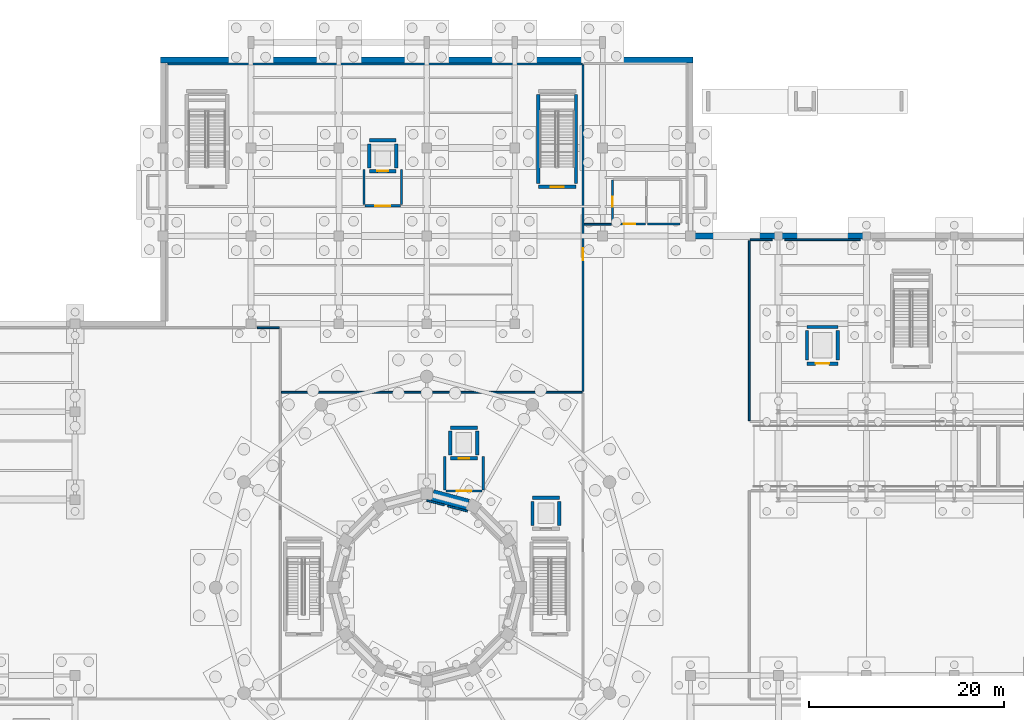
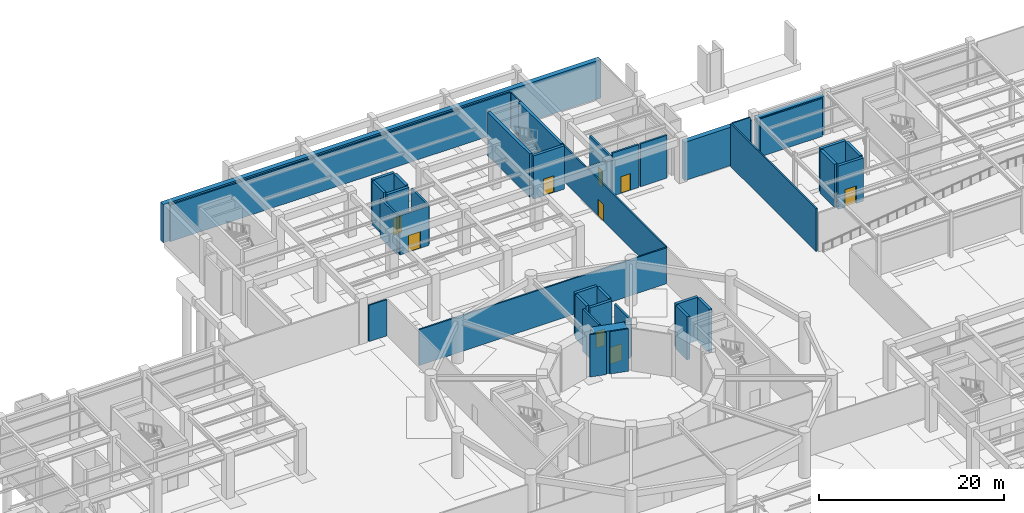
# One storey, part 21 of 36: 41 walls, 9 doors, 9 openings.
"""IFC4 building model written with IfcOpenShell, lengths in metres."""

import ifcopenshell
import ifcopenshell.guid

model = None  # the IFC model being written
_history = None  # IfcOwnerHistory: only IFC2X3 demands one
_inside = {}  # id of a spatial element -> (the spatial element, [elements in it])
_under = {}  # id of a project, library or spatial element -> (it, [spatial elements below it])
_declared = {}  # id of a project -> (the project, [libraries it declares])
_typed = {}  # id of a type object -> (the type object, [elements of that type])
_made_of = {}  # id of a material, layer set ... -> (it, [elements and type objects made of it])


def new_model(schema):
    """Start an empty IFC model of exactly this schema.

    Asked for "IFC4X3", IfcOpenShell would pick the latest addendum, in which some entities
    have other attributes; the version numbers below select the first issue.
    IFC2X3 requires an IfcOwnerHistory on every rooted entity: one is made here for all.
    """
    global model, _history
    if schema == "IFC4X3":
        model = ifcopenshell.file(schema_version=(4, 3, 0, 0))
    else:
        model = ifcopenshell.file(schema=schema)
    _inside.clear()
    _under.clear()
    _declared.clear()
    _typed.clear()
    _made_of.clear()
    _history = None
    if model.schema == "IFC2X3":
        org = make("IfcOrganization", Name="unknown")
        user = make(
            "IfcPersonAndOrganization",
            ThePerson=make("IfcPerson", FamilyName="unknown"),
            TheOrganization=org,
        )
        app = make(
            "IfcApplication",
            ApplicationDeveloper=org,
            Version="unknown",
            ApplicationFullName="unknown",
            ApplicationIdentifier="unknown",
        )
        _history = make(
            "IfcOwnerHistory",
            OwningUser=user,
            OwningApplication=app,
            ChangeAction="ADDED",
            CreationDate=0,
        )
    return model


def make(cls, **values):
    """One entity of the class cls with the attributes given. An attribute that is None is left unset."""
    return model.create_entity(
        cls, **{name: value for name, value in values.items() if value is not None}
    )


def rooted(cls, **values):
    """An entity with a GlobalId (a new one), such as an element, a storey or a relation."""
    return make(cls, GlobalId=ifcopenshell.guid.new(), OwnerHistory=_history, **values)


def si_unit(unit_type, name, prefix=None):
    """IfcSIUnit, for example si_unit("LENGTHUNIT", "METRE", prefix="MILLI")."""
    return make("IfcSIUnit", UnitType=unit_type, Prefix=prefix, Name=name)


def assignment(units):
    """IfcUnitAssignment: the units of a project."""
    return None if units is None else make("IfcUnitAssignment", Units=units)


def point(xyz):
    """IfcCartesianPoint."""
    return None if xyz is None else make("IfcCartesianPoint", Coordinates=xyz)


def direction(xyz):
    """IfcDirection."""
    return None if xyz is None else make("IfcDirection", DirectionRatios=xyz)


def frame(location, z_axis=None, x_axis=None):
    """IfcAxis2Placement3D, a coordinate frame: its origin and axes. An axis left out is left unset."""
    return make(
        "IfcAxis2Placement3D",
        Location=point(location),
        Axis=direction(z_axis),
        RefDirection=direction(x_axis),
    )


def frame_2d(location, x_axis=None):
    """IfcAxis2Placement2D, a coordinate frame in the plane: its origin and x axis."""
    return make(
        "IfcAxis2Placement2D", Location=point(location), RefDirection=direction(x_axis)
    )


def origin():
    """The frame at (0, 0, 0) with its axes left unset."""
    return frame((0.0, 0.0, 0.0))


def place(relative_to, where):
    """IfcLocalPlacement: puts the frame where relative to a parent placement (None: the world)."""
    return make(
        "IfcLocalPlacement", PlacementRelTo=relative_to, RelativePlacement=where
    )


def context(
    kind, dimensions, precision=None, world=None, true_north=None, identifier=None
):
    """IfcGeometricRepresentationContext, for example the 3D "Model" context."""
    return make(
        "IfcGeometricRepresentationContext",
        ContextIdentifier=identifier,
        ContextType=kind,
        CoordinateSpaceDimension=dimensions,
        Precision=precision,
        WorldCoordinateSystem=world,
        TrueNorth=true_north,
    )


def subcontext(parent, identifier, kind, view, scale=None):
    """IfcGeometricRepresentationSubContext, for example "Body" below "Model"."""
    return make(
        "IfcGeometricRepresentationSubContext",
        ContextIdentifier=identifier,
        ContextType=kind,
        ParentContext=parent,
        TargetScale=scale,
        TargetView=view,
    )


def project(units=None, contexts=None):
    """IfcProject with its units and contexts."""
    return rooted(
        "IfcProject",
        Name="project",
        RepresentationContexts=contexts,
        UnitsInContext=assignment(units),
    )


def spatial(cls, under=None, at=None, **own):
    """A site, building, storey or space (cls), placed at a placement, below another one or the project."""
    s = rooted(cls, ObjectPlacement=at, **own)
    if under is not None:
        _under.setdefault(under.id(), (under, []))[1].append(s)
    return s


def profile(cls, at=None, kind="AREA", **sizes):
    """A parametric profile (cls). Its sizes go by their IFC names, for example OverallWidth=200.0."""
    return make(cls, ProfileType=kind, Position=at, **sizes)


def rectangle(**sizes):
    """IfcRectangleProfileDef."""
    return profile("IfcRectangleProfileDef", **sizes)


def extrude(swept, where, along, depth):
    """IfcExtrudedAreaSolid: the profile swept, set in the frame where, extruded along a direction by depth."""
    return make(
        "IfcExtrudedAreaSolid",
        SweptArea=swept,
        Position=where,
        ExtrudedDirection=direction(along),
        Depth=depth,
    )


def shape(context_of_items, identifier, shape_type, items):
    """IfcShapeRepresentation: the items that make up one representation, for example the "Body"."""
    return make(
        "IfcShapeRepresentation",
        ContextOfItems=context_of_items,
        RepresentationIdentifier=identifier,
        RepresentationType=shape_type,
        Items=items,
    )


def material(Name=None, Category=None):
    """IfcMaterial."""
    return make("IfcMaterial", Name=Name, Category=Category)


def layer(
    of_material, thickness, ventilated=None, Name=None, Category=None, Priority=None
):
    """IfcMaterialLayer: one layer of a wall or slab, of a material (None: an air gap)."""
    return make(
        "IfcMaterialLayer",
        Material=of_material,
        LayerThickness=thickness,
        IsVentilated=ventilated,
        Name=Name,
        Category=Category,
        Priority=Priority,
    )


def layer_set(layers, Name=None):
    """IfcMaterialLayerSet."""
    return make("IfcMaterialLayerSet", MaterialLayers=layers, LayerSetName=Name)


def made_of(thing, what):
    """Note that an element or type object is made of a material, layer set ...; save() writes the relation."""
    if what is not None:
        _made_of.setdefault(what.id(), (what, []))[1].append(thing)
    return thing


def type_object(cls, material=None, **own):
    """A type object (cls), such as IfcWallType, which elements share."""
    return made_of(rooted(cls, **own), material)


def element(
    cls,
    number,
    at=None,
    inside=None,
    cuts=None,
    type_object=None,
    material=None,
    context=None,
    identifier="Body",
    shape_type=None,
    held_by="IfcProductDefinitionShape",
    body=None,
    shapes=None,
    **own,
):
    """One element of the class cls, such as IfcWall. Its Tag is "e" and its number.

    at: its placement. inside: the storey or other place that contains it. cuts: it is an
    opening in that element (IfcRelVoidsElement). A single representation is given by context,
    identifier, shape_type and body (its items); several are given by shapes. held_by: the class
    of the entity that holds the representations. save() writes the other relations.
    """
    e = rooted(cls, Tag="e%d" % number, ObjectPlacement=at, **own)
    if body is not None:
        shapes = [shape(context, identifier, shape_type, body)]
    if shapes is not None:
        e.Representation = make(held_by, Representations=shapes)
    if inside is not None:
        _inside.setdefault(inside.id(), (inside, []))[1].append(e)
    if cuts is not None:
        rooted(
            "IfcRelVoidsElement", RelatingBuildingElement=cuts, RelatedOpeningElement=e
        )
    if type_object is not None:
        _typed.setdefault(type_object.id(), (type_object, []))[1].append(e)
    return made_of(e, material)


def fill(opening, filler):
    """IfcRelFillsElement: the door or window that sits in an opening."""
    return rooted(
        "IfcRelFillsElement",
        RelatingOpeningElement=opening,
        RelatedBuildingElement=filler,
    )


def aggregate(whole, parts):
    """IfcRelAggregates: a whole, such as a stair, and the parts it consists of."""
    return rooted("IfcRelAggregates", RelatingObject=whole, RelatedObjects=parts)


def save(model, path):
    """Write the relations noted so far, then the file.

    IfcRelAggregates (storeys below a building ...), IfcRelContainedInSpatialStructure (elements
    in a storey), IfcRelDefinesByType, IfcRelAssociatesMaterial and IfcRelDeclares: one each for
    every whole, place, type object, material and project.
    """
    for whole, parts in _under.values():
        aggregate(whole, parts)
    for where, things in _inside.values():
        rooted(
            "IfcRelContainedInSpatialStructure",
            RelatedElements=things,
            RelatingStructure=where,
        )
    for kind, things in _typed.values():
        rooted("IfcRelDefinesByType", RelatedObjects=things, RelatingType=kind)
    for what, things in _made_of.values():
        rooted("IfcRelAssociatesMaterial", RelatedObjects=things, RelatingMaterial=what)
    for by, libraries in _declared.values():
        rooted("IfcRelDeclares", RelatingContext=by, RelatedDefinitions=libraries)
    model.write(path)


model = new_model("IFC4")

# Units and contexts
model_context = context("Model", 3, precision=1e-05, world=origin(), true_north=direction((0.0, 1.0)))
body_context = subcontext(model_context, "Body", "Model", "MODEL_VIEW")
ifc_project = project(units=[si_unit("LENGTHUNIT", "METRE"), si_unit("AREAUNIT", "SQUARE_METRE"), si_unit("VOLUMEUNIT", "CUBIC_METRE"), si_unit("PLANEANGLEUNIT", "RADIAN"), si_unit("MASSUNIT", "GRAM", prefix="KILO")], contexts=[model_context])

# Site, building, storey
site_placement = place(None, origin())
site = spatial("IfcSite", under=ifc_project, at=site_placement, CompositionType="ELEMENT")
building_placement = place(site_placement, origin())
building = spatial("IfcBuilding", under=site, at=building_placement, Name="Haizhuo Lancet Aquarium", CompositionType="ELEMENT")
storey_placement = place(building_placement, frame((0.0, 0.0, -6.0)))
storey = spatial("IfcBuildingStorey", under=building, at=storey_placement, Name="B1", CompositionType="ELEMENT", Elevation=-6.0)

# Wall, opening, door
ifc_material_1 = material(Name="Concrete C40/50", Category="concrete")
ifc_layer_1 = layer(ifc_material_1, 0.239990234375)
ifc_layer_set_1 = layer_set([ifc_layer_1], Name="Concrete C40/50")
wall_type_1 = type_object("IfcWallType", Name="IWL-FIRE-240", PredefinedType="PARTITIONING", material=ifc_layer_set_1)
wall_1_placement = place(storey_placement, frame((1.949951171875, 9.8798828125, 0.0), z_axis=(0.0, 0.0, 1.0), x_axis=(1.0, 0.0, 0.0)))
wall_1 = element("IfcWall", 1, at=wall_1_placement, inside=storey, type_object=wall_type_1, Name="B1 LF-01 firefighting lift lobby firewall S", PredefinedType="PARTITIONING", context=body_context, shape_type="SweptSolid", body=[
    extrude(rectangle(XDim=3.699951171875, YDim=0.239990234375, at=frame_2d((1.85009765625, 0.0))), origin(), (0.0, 0.0, 1.0), 4.885009765625),
])
opening_1_placement = place(wall_1_placement, frame((1.10009765625, 0.0, 0.0)))
opening_1 = element("IfcOpeningElement", 2, at=opening_1_placement, cuts=wall_1, Name="Opening FD-03", PredefinedType="OPENING", context=body_context, shape_type="SweptSolid", body=[
    extrude(rectangle(XDim=1.5, YDim=2.199951171875, at=frame_2d((0.75, 1.10009765625))), frame((0.0, 0.1298828125, 0.0), z_axis=(0.0, -1.0, 0.0), x_axis=(1.0, 0.0, 0.0)), (0.0, 0.0, 1.0), 0.25999),
])
ifc_material_2 = material(Name="Steel S355", Category="steel")
door_type_1 = type_object("IfcDoorType", Name="IDR-FFL-1500x2200", OperationType="NOTDEFINED", PredefinedType="DOOR", material=ifc_material_2)
door_1_placement = place(opening_1_placement, origin())
door_1 = element("IfcDoor", 3, at=door_1_placement, inside=storey, type_object=door_type_1, Name="B1 LF-01 firefighting lift lobby door", OperationType="SINGLE_SWING_LEFT", OverallHeight=2.199951171875, OverallWidth=1.5, PredefinedType="DOOR", context=body_context, shape_type="SweptSolid", body=[
    extrude(rectangle(XDim=1.5, YDim=2.199951171875, at=frame_2d((0.75, 1.10009765625))), frame((0.0, 0.02490234375, 0.0), z_axis=(0.0, -1.0, 0.0), x_axis=(1.0, 0.0, 0.0)), (0.0, 0.0, 1.0), 0.050048828125),
])
fill(opening_1, door_1)

# Walls
wall_2_placement = place(storey_placement, frame((1.830078125, 10.0, 0.0), z_axis=(0.0, 0.0, 1.0), x_axis=(0.0, 1.0, 0.0)))
element("IfcWall", 4, at=wall_2_placement, inside=storey, type_object=wall_type_1, Name="B1 LF-01 firefighting lift lobby firewall W", PredefinedType="PARTITIONING", context=body_context, shape_type="SweptSolid", body=[
    extrude(rectangle(XDim=3.39990234375, YDim=0.239990234375, at=frame_2d((1.699951171875, 0.0))), origin(), (0.0, 0.0, 1.0), 5.5849609375),
])
wall_3_placement = place(storey_placement, frame((5.77001953125, 10.0, 0.0), z_axis=(0.0, 0.0, 1.0), x_axis=(0.0, 1.0, 0.0)))
element("IfcWall", 5, at=wall_3_placement, inside=storey, type_object=wall_type_1, Name="B1 LF-01 firefighting lift lobby firewall E", PredefinedType="PARTITIONING", context=body_context, shape_type="SweptSolid", body=[
    extrude(rectangle(XDim=3.39990234375, YDim=0.239990234375, at=frame_2d((1.699951171875, 0.0))), origin(), (0.0, 0.0, 1.0), 4.885009765625),
])

# Wall, opening, door
wall_4_placement = place(storey_placement, frame((-6.300048828125, 39.080078125, 0.0), z_axis=(0.0, 0.0, 1.0), x_axis=(1.0, 0.0, 0.0)))
wall_4 = element("IfcWall", 6, at=wall_4_placement, inside=storey, type_object=wall_type_1, Name="B1 LF-02 protected lift lobby firewall S", PredefinedType="PARTITIONING", context=body_context, shape_type="SweptSolid", body=[
    extrude(rectangle(XDim=3.60009765625, YDim=0.239990234375, at=frame_2d((1.800048828125, 0.0))), origin(), (0.0, 0.0, 1.0), 5.18505859375),
])
opening_2_placement = place(wall_4_placement, frame((1.050048828125, 0.0, 0.0)))
opening_2 = element("IfcOpeningElement", 7, at=opening_2_placement, cuts=wall_4, Name="Opening FD-03", PredefinedType="OPENING", context=body_context, shape_type="SweptSolid", body=[
    extrude(rectangle(XDim=1.5, YDim=2.199951171875, at=frame_2d((0.75, 1.10009765625))), frame((0.0, 0.1298828125, 0.0), z_axis=(0.0, -1.0, 0.0), x_axis=(1.0, 0.0, 0.0)), (0.0, 0.0, 1.0), 0.25999),
])
door_2_placement = place(opening_2_placement, origin())
door_2 = element("IfcDoor", 8, at=door_2_placement, inside=storey, type_object=door_type_1, Name="B1 LF-02 protected lift lobby door", OperationType="SINGLE_SWING_RIGHT", OverallHeight=2.199951171875, OverallWidth=1.5, PredefinedType="DOOR", context=body_context, shape_type="SweptSolid", body=[
    extrude(rectangle(XDim=1.5, YDim=2.199951171875, at=frame_2d((0.75, 1.10009765625))), frame((0.0, 0.02490234375, 0.0), z_axis=(0.0, -1.0, 0.0), x_axis=(1.0, 0.0, 0.0)), (0.0, 0.0, 1.0), 0.050048828125),
])
fill(opening_2, door_2)

# Walls
for number, where, z_axis, x_axis, name in (
    (9, (-6.419921875, 39.199951171875, 0.0), (0.0, 0.0, 1.0), (0.0, 1.0, 0.0), "B1 LF-02 protected lift lobby firewall W"),
    (10, (-2.580078125, 39.199951171875, 0.0), (0.0, 0.0, 1.0), (0.0, 1.0, 0.0), "B1 LF-02 protected lift lobby firewall E"),
):
    element("IfcWall", number, at=place(storey_placement, frame(where, z_axis=z_axis, x_axis=x_axis)), inside=storey, type_object=wall_type_1, Name=name, PredefinedType="PARTITIONING", context=body_context, shape_type="SweptSolid", body=[
        extrude(rectangle(XDim=3.60009765625, YDim=0.239990234375, at=frame_2d((1.800048828125, 0.0))), origin(), (0.0, 0.0, 1.0), 5.18505859375),
    ])
ifc_layer_2 = layer(ifc_material_1, 0.179931640625)
ifc_layer_set_2 = layer_set([ifc_layer_2], Name="Concrete C40/50")
wall_type_2 = type_object("IfcWallType", Name="IWL-LAB-180", PredefinedType="PARTITIONING", material=ifc_layer_set_2)
wall_5_placement = place(storey_placement, frame((4.159912109375, 7.81201171875, 0.0), z_axis=(0.0, 0.0, 1.0), x_axis=(-0.96620387275, 0.257779123053, 0.0)))
element("IfcWall", 11, at=wall_5_placement, inside=storey, type_object=wall_type_2, Name="B1 partition wall 13", PredefinedType="PARTITIONING", context=body_context, shape_type="SweptSolid", body=[
    extrude(rectangle(XDim=2.08740234375, YDim=0.179931640625, at=frame_2d((1.043701171875, 0.0))), origin(), (0.0, 0.0, 1.0), 5.5849609375),
])
wall_6_placement = place(storey_placement, frame((1.800048828125, 8.44189453125, 0.0), z_axis=(0.0, 0.0, 1.0), x_axis=(-0.96625012275, 0.257605707012, 0.0)))
element("IfcWall", 12, at=wall_6_placement, inside=storey, type_object=wall_type_2, Name="B1 partition wall 14", PredefinedType="PARTITIONING", context=body_context, shape_type="SweptSolid", body=[
    extrude(rectangle(XDim=1.867919921875, YDim=0.179931640625, at=frame_2d((0.93408203125, 0.0))), origin(), (0.0, 0.0, 1.0), 5.5849609375),
])
wall_7_placement = place(storey_placement, frame((-15.10009765625, 26.60009765625, 0.0), z_axis=(0.0, 0.0, 1.0), x_axis=(-1.0, 0.0, 0.0)))
element("IfcWall", 13, at=wall_7_placement, inside=storey, type_object=wall_type_2, Name="B1 partition wall 38", PredefinedType="PARTITIONING", context=body_context, shape_type="SweptSolid", body=[
    extrude(rectangle(XDim=2.25, YDim=0.179931640625, at=frame_2d((1.125, 0.0))), origin(), (0.0, 0.0, 1.0), 4.784912109375),
])
wall_8_placement = place(storey_placement, frame((35.35009765625, 35.60009765625, 0.0), z_axis=(0.0, 0.0, 1.0), x_axis=(-1.0, 0.0, 0.0)))
element("IfcWall", 14, at=wall_8_placement, inside=storey, type_object=wall_type_2, Name="B1 partition wall 57", PredefinedType="PARTITIONING", context=body_context, shape_type="SweptSolid", body=[
    extrude(rectangle(XDim=2.25, YDim=0.179931640625, at=frame_2d((1.125, 0.0))), origin(), (0.0, 0.0, 1.0), 5.64990234375),
])
wall_9_placement = place(storey_placement, frame((33.0, 35.510009765625, 0.0), z_axis=(0.0, 0.0, 1.0), x_axis=(0.0, -1.0, 0.0)))
element("IfcWall", 15, at=wall_9_placement, inside=storey, type_object=wall_type_2, Name="B1 partition wall 58", PredefinedType="PARTITIONING", context=body_context, shape_type="SweptSolid", body=[
    extrude(rectangle(XDim=18.409912109375, YDim=0.179931640625, at=frame_2d((9.205078125, 0.0))), origin(), (0.0, 0.0, 1.0), 5.64990234375),
])
wall_10_placement = place(storey_placement, frame((44.35009765625, 35.60009765625, 0.0), z_axis=(0.0, 0.0, 1.0), x_axis=(-1.0, 0.0, 0.0)))
element("IfcWall", 16, at=wall_10_placement, inside=storey, type_object=wall_type_2, Name="B1 partition wall 65", PredefinedType="PARTITIONING", context=body_context, shape_type="SweptSolid", body=[
    extrude(rectangle(XDim=7.7001953125, YDim=0.179931640625, at=frame_2d((3.85009765625, 0.0))), origin(), (0.0, 0.0, 1.0), 4.9970703125),
])
wall_11_placement = place(storey_placement, frame((-14.89501953125, 20.0, 0.0), z_axis=(0.0, 0.0, 1.0), x_axis=(1.0, 0.0, 0.0)))
element("IfcWall", 17, at=wall_11_placement, inside=storey, type_object=wall_type_2, Name="B1 partition wall 67", PredefinedType="PARTITIONING", context=body_context, shape_type="SweptSolid", body=[
    extrude(rectangle(XDim=30.794921875, YDim=0.179931640625, at=frame_2d((15.3974609375, 0.0))), origin(), (0.0, 0.0, 1.0), 4.735107421875),
])

# Wall, opening, door
wall_12_placement = place(storey_placement, frame((16.0, 20.10009765625, 0.0), z_axis=(0.0, 0.0, 1.0), x_axis=(0.0, 1.0, 0.0)))
wall_12 = element("IfcWall", 18, at=wall_12_placement, inside=storey, type_object=wall_type_2, Name="B1 partition wall 68", PredefinedType="PARTITIONING", context=body_context, shape_type="SweptSolid", body=[
    extrude(rectangle(XDim=33.39990234375, YDim=0.179931640625, at=frame_2d((16.699951171875, 0.0))), origin(), (0.0, 0.0, 1.0), 4.784912109375),
])
opening_3_placement = place(wall_12_placement, frame((13.427978515625, 0.0, 0.0)))
opening_3 = element("IfcOpeningElement", 19, at=opening_3_placement, cuts=wall_12, Name="Opening D-04", PredefinedType="OPENING", context=body_context, shape_type="SweptSolid", body=[
    extrude(rectangle(XDim=1.199951171875, YDim=2.199951171875, at=frame_2d((0.60009765625, 1.10009765625))), frame((0.0, 0.099853515625, 0.0), z_axis=(0.0, -1.0, 0.0), x_axis=(1.0, 0.0, 0.0)), (0.0, 0.0, 1.0), 0.199932),
])
door_type_2 = type_object("IfcDoorType", Name="IDR-LAB-1200x2200", OperationType="NOTDEFINED", PredefinedType="DOOR", material=ifc_material_2)
door_3_placement = place(opening_3_placement, origin())
door_3 = element("IfcDoor", 20, at=door_3_placement, inside=storey, type_object=door_type_2, Name="B1 Ozone Disinfection and Brine Mixing Plant door", OperationType="SINGLE_SWING_RIGHT", OverallHeight=2.199951171875, OverallWidth=1.199951171875, PredefinedType="DOOR", context=body_context, shape_type="SweptSolid", body=[
    extrude(rectangle(XDim=1.199951171875, YDim=2.199951171875, at=frame_2d((0.60009765625, 1.10009765625))), frame((0.0, 0.02490234375, 0.0), z_axis=(0.0, -1.0, 0.0), x_axis=(1.0, 0.0, 0.0)), (0.0, 0.0, 1.0), 0.050048828125),
])
fill(opening_3, door_3)

# Walls
wall_13_placement = place(storey_placement, frame((15.89990234375, 53.60009765625, 0.0), z_axis=(0.0, 0.0, 1.0), x_axis=(-1.0, 0.0, 0.0)))
element("IfcWall", 21, at=wall_13_placement, inside=storey, type_object=wall_type_2, Name="B1 partition wall 69", PredefinedType="PARTITIONING", context=body_context, shape_type="SweptSolid", body=[
    extrude(rectangle(XDim=42.39990234375, YDim=0.179931640625, at=frame_2d((21.199951171875, 0.0))), origin(), (0.0, 0.0, 1.0), 4.8349609375),
])
wall_14_placement = place(storey_placement, frame((16.10498046875, 37.199951171875, 0.0), z_axis=(0.0, 0.0, 1.0), x_axis=(1.0, 0.0, 0.0)))
element("IfcWall", 22, at=wall_14_placement, inside=storey, type_object=wall_type_2, Name="B1 partition wall 74", PredefinedType="PARTITIONING", context=body_context, shape_type="SweptSolid", body=[
    extrude(rectangle(XDim=2.794921875, YDim=0.179931640625, at=frame_2d((1.3974609375, 0.0))), origin(), (0.0, 0.0, 1.0), 4.8349609375),
])

# Wall, opening, door
ifc_layer_3 = layer(ifc_material_1, 0.219970703125)
ifc_layer_set_3 = layer_set([ifc_layer_3], Name="Concrete C40/50")
wall_type_3 = type_object("IfcWallType", Name="IWL-PLB-220", PredefinedType="PLUMBINGWALL", material=ifc_layer_set_3)
wall_15_placement = place(storey_placement, frame((19.0, 41.699951171875, 0.0), z_axis=(0.0, 0.0, 1.0), x_axis=(0.0, -1.0, 0.0)))
wall_15 = element("IfcWall", 23, at=wall_15_placement, inside=storey, type_object=wall_type_3, Name="B1 partition wall 1", PredefinedType="PLUMBINGWALL", context=body_context, shape_type="SweptSolid", body=[
    extrude(rectangle(XDim=4.39990234375, YDim=0.219970703125, at=frame_2d((2.199951171875, 0.0))), origin(), (0.0, 0.0, 1.0), 5.235107421875),
])
opening_4_placement = place(wall_15_placement, frame((1.675048828125, 0.0, 0.0)))
opening_4 = element("IfcOpeningElement", 24, at=opening_4_placement, cuts=wall_15, Name="Opening D-08", PredefinedType="OPENING", context=body_context, shape_type="SweptSolid", body=[
    extrude(rectangle(XDim=1.050048828125, YDim=2.14990234375, at=frame_2d((0.52490234375, 1.074951171875))), frame((0.0, 0.119873046875, 0.0), z_axis=(0.0, -1.0, 0.0), x_axis=(1.0, 0.0, 0.0)), (0.0, 0.0, 1.0), 0.239971),
])
ifc_material_3 = material(Name="Aluminium 6063-T6", Category="aluminium")
door_type_3 = type_object("IfcDoorType", Name="IDR-AWC-1050x2150", OperationType="NOTDEFINED", PredefinedType="DOOR", material=ifc_material_3)
door_4_placement = place(opening_4_placement, origin())
door_4 = element("IfcDoor", 25, at=door_4_placement, inside=storey, type_object=door_type_3, Name="B1 Staff Accessible WC door", OperationType="SINGLE_SWING_LEFT", OverallHeight=2.14990234375, OverallWidth=1.050048828125, PredefinedType="DOOR", context=body_context, shape_type="SweptSolid", body=[
    extrude(rectangle(XDim=1.050048828125, YDim=2.14990234375, at=frame_2d((0.52490234375, 1.074951171875))), frame((0.0, 0.02490234375, 0.0), z_axis=(0.0, -1.0, 0.0), x_axis=(1.0, 0.0, 0.0)), (0.0, 0.0, 1.0), 0.050048828125),
])
fill(opening_4, door_4)

wall_16_placement = place(storey_placement, frame((19.10009765625, 37.199951171875, 0.0), z_axis=(0.0, 0.0, 1.0), x_axis=(1.0, 0.0, 0.0)))
wall_16 = element("IfcWall", 26, at=wall_16_placement, inside=storey, type_object=wall_type_3, Name="B1 partition wall 2", PredefinedType="PLUMBINGWALL", context=body_context, shape_type="SweptSolid", body=[
    extrude(rectangle(XDim=3.2998046875, YDim=0.219970703125, at=frame_2d((1.64990234375, 0.0))), origin(), (0.0, 0.0, 1.0), 5.64990234375),
])
opening_5_placement = place(wall_16_placement, frame((1.050048828125, 0.0, 0.0)))
opening_5 = element("IfcOpeningElement", 27, at=opening_5_placement, cuts=wall_16, Name="Opening D-04", PredefinedType="OPENING", context=body_context, shape_type="SweptSolid", body=[
    extrude(rectangle(XDim=1.199951171875, YDim=2.199951171875, at=frame_2d((0.60009765625, 1.10009765625))), frame((0.0, 0.119873046875, 0.0), z_axis=(0.0, -1.0, 0.0), x_axis=(1.0, 0.0, 0.0)), (0.0, 0.0, 1.0), 0.239971),
])
door_5_placement = place(opening_5_placement, origin())
door_5 = element("IfcDoor", 28, at=door_5_placement, inside=storey, type_object=door_type_2, Name="B1 Pelagic Sand Filter Gallery door", OperationType="SINGLE_SWING_RIGHT", OverallHeight=2.199951171875, OverallWidth=1.199951171875, PredefinedType="DOOR", context=body_context, shape_type="SweptSolid", body=[
    extrude(rectangle(XDim=1.199951171875, YDim=2.199951171875, at=frame_2d((0.60009765625, 1.10009765625))), frame((0.0, 0.02490234375, 0.0), z_axis=(0.0, -1.0, 0.0), x_axis=(1.0, 0.0, 0.0)), (0.0, 0.0, 1.0), 0.050048828125),
])
fill(opening_5, door_5)

# Wall
wall_17_placement = place(storey_placement, frame((22.60009765625, 37.199951171875, 0.0), z_axis=(0.0, 0.0, 1.0), x_axis=(1.0, 0.0, 0.0)))
element("IfcWall", 29, at=wall_17_placement, inside=storey, type_object=wall_type_3, Name="B1 partition wall 5", PredefinedType="PLUMBINGWALL", context=body_context, shape_type="SweptSolid", body=[
    extrude(rectangle(XDim=3.2998046875, YDim=0.219970703125, at=frame_2d((1.64990234375, 0.0))), origin(), (0.0, 0.0, 1.0), 5.64990234375),
])

# Wall, opening, door
ifc_layer_4 = layer(ifc_material_1, 0.35009765625)
ifc_layer_set_4 = layer_set([ifc_layer_4], Name="Concrete C40/50")
wall_type_4 = type_object("IfcWallType", Name="WL-CORE-350", PredefinedType="SHEAR", material=ifc_layer_set_4)
wall_18_placement = place(storey_placement, frame((11.425048828125, 41.02490234375, 0.0), z_axis=(0.0, 0.0, 1.0), x_axis=(1.0, 0.0, 0.0)))
wall_18 = element("IfcWall", 30, at=wall_18_placement, inside=storey, type_object=wall_type_4, Name="B1 ST-08 core shear wall S", PredefinedType="SHEAR", context=body_context, shape_type="SweptSolid", body=[
    extrude(rectangle(XDim=3.849853515625, YDim=0.35009765625, at=frame_2d((1.9248046875, 0.0))), origin(), (0.0, 0.0, 1.0), 5.699951171875),
])
opening_6_placement = place(wall_18_placement, frame((1.27490234375, 0.0, 0.0)))
opening_6 = element("IfcOpeningElement", 31, at=opening_6_placement, cuts=wall_18, Name="Opening FD-02", PredefinedType="OPENING", context=body_context, shape_type="SweptSolid", body=[
    extrude(rectangle(XDim=1.300048828125, YDim=2.199951171875, at=frame_2d((0.64990234375, 1.10009765625))), frame((0.0, 0.18505859375, 0.0), z_axis=(0.0, -1.0, 0.0), x_axis=(1.0, 0.0, 0.0)), (0.0, 0.0, 1.0), 0.370098),
])
door_type_4 = type_object("IfcDoorType", Name="IDR-STAIR-1300x2200", OperationType="NOTDEFINED", PredefinedType="DOOR", material=ifc_material_2)
door_6_placement = place(opening_6_placement, origin())
door_6 = element("IfcDoor", 32, at=door_6_placement, inside=storey, type_object=door_type_4, Name="B1 ST-08 stairwell fire door", OperationType="SINGLE_SWING_LEFT", OverallHeight=2.199951171875, OverallWidth=1.300048828125, PredefinedType="DOOR", context=body_context, shape_type="SweptSolid", body=[
    extrude(rectangle(XDim=1.300048828125, YDim=2.199951171875, at=frame_2d((0.64990234375, 1.10009765625))), frame((0.0, 0.02490234375, 0.0), z_axis=(0.0, -1.0, 0.0), x_axis=(1.0, 0.0, 0.0)), (0.0, 0.0, 1.0), 0.050048828125),
])
fill(opening_6, door_6)

# Walls
for number, where, z_axis, x_axis, name in (
    (33, (11.425048828125, 41.375, 0.0), (0.0, 0.0, 1.0), (0.0, 1.0, 0.0), "B1 ST-08 core shear wall W"),
    (34, (15.27490234375, 41.375, 0.0), (0.0, 0.0, 1.0), (0.0, 1.0, 0.0), "B1 ST-08 core shear wall E"),
):
    element("IfcWall", number, at=place(storey_placement, frame(where, z_axis=z_axis, x_axis=x_axis)), inside=storey, type_object=wall_type_4, Name=name, PredefinedType="SHEAR", context=body_context, shape_type="SweptSolid", body=[
        extrude(rectangle(XDim=9.10009765625, YDim=0.35009765625, at=frame_2d((4.550048828125, 0.0))), origin(), (0.0, 0.0, 1.0), 5.699951171875),
    ])

# Wall, opening, door
wall_19_placement = place(storey_placement, frame((2.425048828125, 13.22509765625, 0.0), z_axis=(0.0, 0.0, 1.0), x_axis=(1.0, 0.0, 0.0)))
wall_19 = element("IfcWall", 35, at=wall_19_placement, inside=storey, type_object=wall_type_4, Name="B1 LF-01 lift shaft wall -Y", PredefinedType="SHEAR", context=body_context, shape_type="SweptSolid", body=[
    extrude(rectangle(XDim=2.75, YDim=0.35009765625, at=frame_2d((1.375, 0.0))), origin(), (0.0, 0.0, 1.0), 5.699951171875),
])
opening_7_placement = place(wall_19_placement, frame((0.824951171875, 0.0, 0.0)))
opening_7 = element("IfcOpeningElement", 36, at=opening_7_placement, cuts=wall_19, Name="Opening LD-01", PredefinedType="OPENING", context=body_context, shape_type="SweptSolid", body=[
    extrude(rectangle(XDim=1.10009765625, YDim=2.199951171875, at=frame_2d((0.550048828125, 1.10009765625))), frame((0.0, 0.18505859375, 0.0), z_axis=(0.0, -1.0, 0.0), x_axis=(1.0, 0.0, 0.0)), (0.0, 0.0, 1.0), 0.370098),
])
door_type_5 = type_object("IfcDoorType", Name="IDR-LIFT-1100x2200", OperationType="NOTDEFINED", PredefinedType="DOOR", material=ifc_material_2)
door_7_placement = place(opening_7_placement, origin())
door_7 = element("IfcDoor", 37, at=door_7_placement, inside=storey, type_object=door_type_5, Name="B1 LF-01 sliding lift landing door", OperationType="DOUBLE_DOOR_SLIDING", OverallHeight=2.199951171875, OverallWidth=1.10009765625, PredefinedType="DOOR", context=body_context, shape_type="SweptSolid", body=[
    extrude(rectangle(XDim=1.10009765625, YDim=2.199951171875, at=frame_2d((0.550048828125, 1.10009765625))), frame((0.0, 0.02490234375, 0.0), z_axis=(0.0, -1.0, 0.0), x_axis=(1.0, 0.0, 0.0)), (0.0, 0.0, 1.0), 0.050048828125),
])
fill(opening_7, door_7)

# Walls
wall_20_placement = place(storey_placement, frame((5.175048828125, 16.375, 0.0), z_axis=(0.0, 0.0, 1.0), x_axis=(-1.0, 0.0, 0.0)))
element("IfcWall", 38, at=wall_20_placement, inside=storey, type_object=wall_type_4, Name="B1 LF-01 lift shaft wall +Y", PredefinedType="SHEAR", context=body_context, shape_type="SweptSolid", body=[
    extrude(rectangle(XDim=2.75, YDim=0.35009765625, at=frame_2d((1.375, 0.0))), origin(), (0.0, 0.0, 1.0), 5.699951171875),
])
for number, where, z_axis, x_axis, name in (
    (39, (2.425048828125, 13.574951171875, 0.0), (0.0, 0.0, 1.0), (0.0, 1.0, 0.0), "B1 LF-01 lift shaft wall -X"),
    (40, (5.175048828125, 13.574951171875, 0.0), (0.0, 0.0, 1.0), (0.0, 1.0, 0.0), "B1 LF-01 lift shaft wall +X"),
):
    element("IfcWall", number, at=place(storey_placement, frame(where, z_axis=z_axis, x_axis=x_axis)), inside=storey, type_object=wall_type_4, Name=name, PredefinedType="SHEAR", context=body_context, shape_type="SweptSolid", body=[
        extrude(rectangle(XDim=2.449951171875, YDim=0.35009765625, at=frame_2d((1.22509765625, 0.0))), origin(), (0.0, 0.0, 1.0), 5.699951171875),
    ])

# Wall, opening, door
wall_21_placement = place(storey_placement, frame((-5.875, 42.625, 0.0), z_axis=(0.0, 0.0, 1.0), x_axis=(1.0, 0.0, 0.0)))
wall_21 = element("IfcWall", 41, at=wall_21_placement, inside=storey, type_object=wall_type_4, Name="B1 LF-02 lift shaft wall -Y", PredefinedType="SHEAR", context=body_context, shape_type="SweptSolid", body=[
    extrude(rectangle(XDim=2.75, YDim=0.35009765625, at=frame_2d((1.375, 0.0))), origin(), (0.0, 0.0, 1.0), 5.699951171875),
])
opening_8_placement = place(wall_21_placement, frame((0.824951171875, 0.0, 0.0)))
opening_8 = element("IfcOpeningElement", 42, at=opening_8_placement, cuts=wall_21, Name="Opening LD-01", PredefinedType="OPENING", context=body_context, shape_type="SweptSolid", body=[
    extrude(rectangle(XDim=1.10009765625, YDim=2.199951171875, at=frame_2d((0.550048828125, 1.10009765625))), frame((0.0, 0.18505859375, 0.0), z_axis=(0.0, -1.0, 0.0), x_axis=(1.0, 0.0, 0.0)), (0.0, 0.0, 1.0), 0.370098),
])
door_8_placement = place(opening_8_placement, origin())
door_8 = element("IfcDoor", 43, at=door_8_placement, inside=storey, type_object=door_type_5, Name="B1 LF-02 sliding lift landing door", OperationType="DOUBLE_DOOR_SLIDING", OverallHeight=2.199951171875, OverallWidth=1.10009765625, PredefinedType="DOOR", context=body_context, shape_type="SweptSolid", body=[
    extrude(rectangle(XDim=1.10009765625, YDim=2.199951171875, at=frame_2d((0.550048828125, 1.10009765625))), frame((0.0, 0.02490234375, 0.0), z_axis=(0.0, -1.0, 0.0), x_axis=(1.0, 0.0, 0.0)), (0.0, 0.0, 1.0), 0.050048828125),
])
fill(opening_8, door_8)

# Walls
wall_22_placement = place(storey_placement, frame((-3.125, 45.77490234375, 0.0), z_axis=(0.0, 0.0, 1.0), x_axis=(-1.0, 0.0, 0.0)))
element("IfcWall", 44, at=wall_22_placement, inside=storey, type_object=wall_type_4, Name="B1 LF-02 lift shaft wall +Y", PredefinedType="SHEAR", context=body_context, shape_type="SweptSolid", body=[
    extrude(rectangle(XDim=2.75, YDim=0.35009765625, at=frame_2d((1.375, 0.0))), origin(), (0.0, 0.0, 1.0), 5.699951171875),
])
for number, where, z_axis, x_axis, name in (
    (45, (-5.875, 42.97509765625, 0.0), (0.0, 0.0, 1.0), (0.0, 1.0, 0.0), "B1 LF-02 lift shaft wall -X"),
    (46, (-3.125, 42.97509765625, 0.0), (0.0, 0.0, 1.0), (0.0, 1.0, 0.0), "B1 LF-02 lift shaft wall +X"),
):
    element("IfcWall", number, at=place(storey_placement, frame(where, z_axis=z_axis, x_axis=x_axis)), inside=storey, type_object=wall_type_4, Name=name, PredefinedType="SHEAR", context=body_context, shape_type="SweptSolid", body=[
        extrude(rectangle(XDim=2.449951171875, YDim=0.35009765625, at=frame_2d((1.22509765625, 0.0))), origin(), (0.0, 0.0, 1.0), 5.699951171875),
    ])
wall_23_placement = place(storey_placement, frame((13.574951171875, 9.175048828125, 0.0), z_axis=(0.0, 0.0, 1.0), x_axis=(-1.0, 0.0, 0.0)))
element("IfcWall", 47, at=wall_23_placement, inside=storey, type_object=wall_type_4, Name="B1 LP-01 lift shaft wall +Y", PredefinedType="SHEAR", context=body_context, shape_type="SweptSolid", body=[
    extrude(rectangle(XDim=2.75, YDim=0.35009765625, at=frame_2d((1.375, 0.0))), origin(), (0.0, 0.0, 1.0), 5.699951171875),
])
for number, where, z_axis, x_axis, name in (
    (48, (10.824951171875, 6.375, 0.0), (0.0, 0.0, 1.0), (0.0, 1.0, 0.0), "B1 LP-01 lift shaft wall -X"),
    (49, (13.574951171875, 6.375, 0.0), (0.0, 0.0, 1.0), (0.0, 1.0, 0.0), "B1 LP-01 lift shaft wall +X"),
):
    element("IfcWall", number, at=place(storey_placement, frame(where, z_axis=z_axis, x_axis=x_axis)), inside=storey, type_object=wall_type_4, Name=name, PredefinedType="SHEAR", context=body_context, shape_type="SweptSolid", body=[
        extrude(rectangle(XDim=2.449951171875, YDim=0.35009765625, at=frame_2d((1.22509765625, 0.0))), origin(), (0.0, 0.0, 1.0), 5.699951171875),
    ])

# Wall, opening, door
wall_24_placement = place(storey_placement, frame((38.925048828125, 22.925048828125, 0.0), z_axis=(0.0, 0.0, 1.0), x_axis=(1.0, 0.0, 0.0)))
wall_24 = element("IfcWall", 50, at=wall_24_placement, inside=storey, type_object=wall_type_4, Name="B1 LG-01 lift shaft wall -Y", PredefinedType="SHEAR", context=body_context, shape_type="SweptSolid", body=[
    extrude(rectangle(XDim=3.14990234375, YDim=0.35009765625, at=frame_2d((1.574951171875, 0.0))), origin(), (0.0, 0.0, 1.0), 5.699951171875),
])
opening_9_placement = place(wall_24_placement, frame((0.875, 0.0, 0.0)))
opening_9 = element("IfcOpeningElement", 51, at=opening_9_placement, cuts=wall_24, Name="Opening LD-02", PredefinedType="OPENING", context=body_context, shape_type="SweptSolid", body=[
    extrude(rectangle(XDim=1.39990234375, YDim=2.300048828125, at=frame_2d((0.699951171875, 1.14990234375))), frame((0.0, 0.18505859375, 0.0), z_axis=(0.0, -1.0, 0.0), x_axis=(1.0, 0.0, 0.0)), (0.0, 0.0, 1.0), 0.370098),
])
door_type_6 = type_object("IfcDoorType", Name="IDR-LIFT-1400x2300", OperationType="NOTDEFINED", PredefinedType="DOOR", material=ifc_material_2)
door_9_placement = place(opening_9_placement, origin())
door_9 = element("IfcDoor", 52, at=door_9_placement, inside=storey, type_object=door_type_6, Name="B1 LG-01 sliding lift landing door", OperationType="DOUBLE_DOOR_SLIDING", OverallHeight=2.300048828125, OverallWidth=1.39990234375, PredefinedType="DOOR", context=body_context, shape_type="SweptSolid", body=[
    extrude(rectangle(XDim=1.39990234375, YDim=2.300048828125, at=frame_2d((0.699951171875, 1.14990234375))), frame((0.0, 0.02490234375, 0.0), z_axis=(0.0, -1.0, 0.0), x_axis=(1.0, 0.0, 0.0)), (0.0, 0.0, 1.0), 0.050048828125),
])
fill(opening_9, door_9)

# Walls
wall_25_placement = place(storey_placement, frame((42.074951171875, 26.675048828125, 0.0), z_axis=(0.0, 0.0, 1.0), x_axis=(-1.0, 0.0, 0.0)))
element("IfcWall", 53, at=wall_25_placement, inside=storey, type_object=wall_type_4, Name="B1 LG-01 lift shaft wall +Y", PredefinedType="SHEAR", context=body_context, shape_type="SweptSolid", body=[
    extrude(rectangle(XDim=3.14990234375, YDim=0.35009765625, at=frame_2d((1.574951171875, 0.0))), origin(), (0.0, 0.0, 1.0), 5.699951171875),
])
for number, where, z_axis, x_axis, name in (
    (54, (38.925048828125, 23.27490234375, 0.0), (0.0, 0.0, 1.0), (0.0, 1.0, 0.0), "B1 LG-01 lift shaft wall -X"),
    (55, (42.074951171875, 23.27490234375, 0.0), (0.0, 0.0, 1.0), (0.0, 1.0, 0.0), "B1 LG-01 lift shaft wall +X"),
):
    element("IfcWall", number, at=place(storey_placement, frame(where, z_axis=z_axis, x_axis=x_axis)), inside=storey, type_object=wall_type_4, Name=name, PredefinedType="SHEAR", context=body_context, shape_type="SweptSolid", body=[
        extrude(rectangle(XDim=3.050048828125, YDim=0.35009765625, at=frame_2d((1.52490234375, 0.0))), origin(), (0.0, 0.0, 1.0), 5.699951171875),
    ])
ifc_material_4 = material(Name="Concrete C45/55", Category="concrete")
ifc_layer_5 = layer(ifc_material_4, 0.60009765625)
ifc_layer_set_5 = layer_set([ifc_layer_5], Name="Concrete C45/55")
wall_type_5 = type_object("IfcWallType", Name="WL-RET-600", PredefinedType="USERDEFINED", material=ifc_layer_set_5)
for number, where, z_axis, x_axis, name in (
    (56, (44.699951171875, 36.0, 0.0), (0.0, 0.0, 1.0), (-1.0, 0.0, 0.0), "B1 waterproof perimeter retaining wall 11.4"),
    (57, (35.699951171875, 36.0, 0.0), (0.0, 0.0, 1.0), (-1.0, 0.0, 0.0), "B1 waterproof perimeter retaining wall 11.5"),
):
    element("IfcWall", number, at=place(storey_placement, frame(where, z_axis=z_axis, x_axis=x_axis)), inside=storey, type_object=wall_type_5, Name=name, ObjectType="RETAININGWALL", PredefinedType="USERDEFINED", context=body_context, shape_type="SweptSolid", body=[
        extrude(rectangle(XDim=8.39990234375, YDim=0.60009765625, at=frame_2d((4.199951171875, 0.0))), origin(), (0.0, 0.0, 1.0), 5.050048828125),
    ])
wall_26_placement = place(storey_placement, frame((27.25, 54.0, 0.0), z_axis=(0.0, 0.0, 1.0), x_axis=(-1.0, 0.0, 0.0)))
element("IfcWall", 58, at=wall_26_placement, inside=storey, type_object=wall_type_5, Name="B1 waterproof perimeter retaining wall 13.1", ObjectType="RETAININGWALL", PredefinedType="USERDEFINED", context=body_context, shape_type="SweptSolid", body=[
    extrude(rectangle(XDim=54.5, YDim=0.60009765625, at=frame_2d((27.25, 0.0))), origin(), (0.0, 0.0, 1.0), 5.050048828125),
])
ifc_layer_6 = layer(ifc_material_4, 1.199951171875)
ifc_layer_set_6 = layer_set([ifc_layer_6], Name="Concrete C45/55")
wall_type_6 = type_object("IfcWallType", Name="WL-TANK-1200", PredefinedType="SHEAR", material=ifc_layer_set_6)
wall_27_placement = place(storey_placement, frame((4.219970703125, 8.468994140625, 0.0), z_axis=(0.0, 0.0, 1.0), x_axis=(-0.965874862682, 0.259009169026, 0.0)))
element("IfcWall", 59, at=wall_27_placement, inside=storey, type_object=wall_type_6, Name="B1 Pelagic Ocean Tank hydrostatic wall chord 3", PredefinedType="SHEAR", context=body_context, shape_type="SweptSolid", body=[
    extrude(rectangle(XDim=3.7685546875, YDim=1.199951171875, at=frame_2d((1.88427734375, 0.0))), origin(), (0.0, 0.0, 1.0), 5.60009765625),
])

save(model, "model.ifc")
